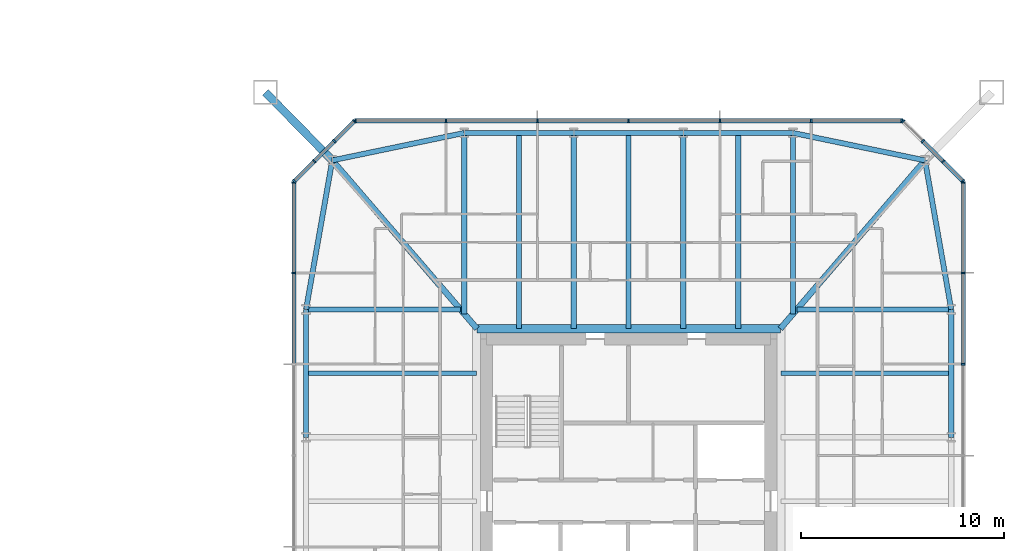
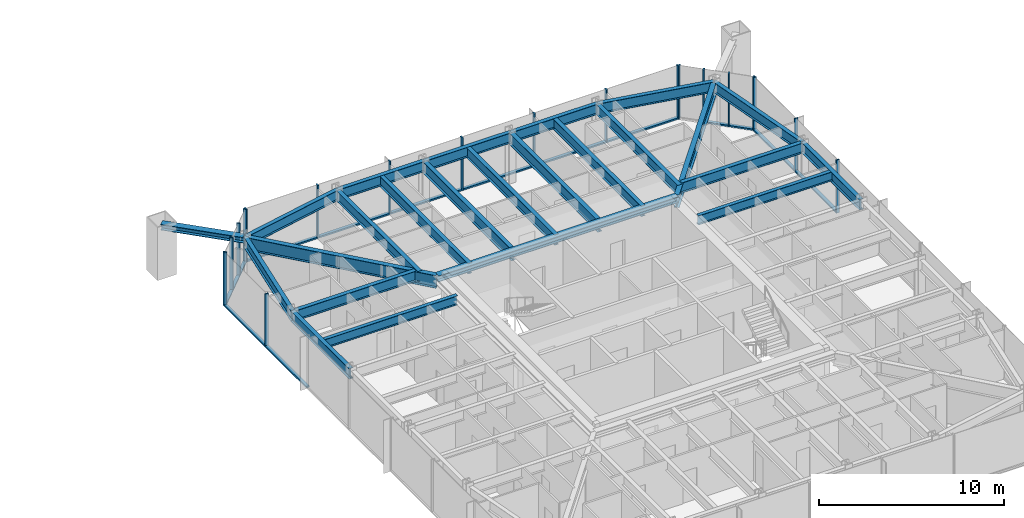
# One storey, part 10 of 26: 36 members, 23 beams, 5 elements without a shape of their own.
"""IFC4 building model written with IfcOpenShell, lengths in metres."""

from ifc_helpers import new_model, si_unit, direction, frame, origin, origin_2d, place, context, subcontext, project, spatial, rectangle, i_section, extrude, material, material_profile, profile_set, type_object, element, aggregate, save


model = new_model("IFC4")

# Units and contexts
model_context = context("Model", 3, precision=1e-05, world=origin(), true_north=direction((0.0, 1.0)))
body_context = subcontext(model_context, "Body", "Model", "MODEL_VIEW")
ifc_project = project(units=[si_unit("LENGTHUNIT", "METRE"), si_unit("AREAUNIT", "SQUARE_METRE"), si_unit("VOLUMEUNIT", "CUBIC_METRE"), si_unit("PLANEANGLEUNIT", "RADIAN"), si_unit("MASSUNIT", "GRAM", prefix="KILO")], contexts=[model_context])

# Site, building, storey
site_placement = place(None, origin())
site = spatial("IfcSite", under=ifc_project, at=site_placement, CompositionType="ELEMENT")
building_placement = place(site_placement, origin())
building = spatial("IfcBuilding", under=site, at=building_placement, Name="Iwan Alto Co-Living Towers", CompositionType="ELEMENT")
storey_placement = place(building_placement, frame((0.0, 0.0, 36.0)))
storey = spatial("IfcBuildingStorey", under=building, at=storey_placement, Name="L09", CompositionType="ELEMENT", Elevation=36.0)

# Curtain wall, members
ifc_material_1 = material(Name="Bronze aluminium unitised frame", Category="aluminium")
curtain_wall_type_1 = type_object("IfcCurtainWallType", Name="CURTAIN WALL CW-C", PredefinedType="NOTDEFINED", material=ifc_material_1)
curtain_wall_1_placement = place(storey_placement, origin())
curtain_wall_1 = element("IfcCurtainWall", 1, at=curtain_wall_1_placement, inside=storey, type_object=curtain_wall_type_1, Name="T2 curtain wall E L09", PredefinedType="NOTDEFINED")
ifc_material_2 = material(Name="Aluminium 6063-T6 bronze anodised", Category="aluminium")
ifc_material_profile_1 = material_profile(ifc_material_2, rectangle(XDim=0.199951171875, YDim=0.080078125, at=origin_2d()), Name="AL 80X200")
ifc_profile_set_1 = profile_set([ifc_material_profile_1], Name="Aluminium 6063-T6 bronze anodised")
member_type_1 = type_object("IfcMemberType", Name="CW-C MULLION 80X200", PredefinedType="MULLION", material=ifc_profile_set_1)
member_1_placement = place(storey_placement, frame((79.5, 6.75, 0.0), z_axis=(0.0, 0.0, 1.0), x_axis=(-1.0, 0.0, 0.0)))
member_1 = element("IfcMember", 2, at=member_1_placement, type_object=member_type_1, Name="CW-C mullion 6", PredefinedType="MULLION", context=body_context, shape_type="SweptSolid", body=[
    extrude(rectangle(XDim=0.199951171875, YDim=0.080078125, at=origin_2d()), origin(), (0.0, 0.0, 1.0), 3.5),
])
member_2_placement = place(storey_placement, frame((79.5, 11.25, 0.0), z_axis=(0.0, 0.0, 1.0), x_axis=(-1.0, 0.0, 0.0)))
member_2 = element("IfcMember", 3, at=member_2_placement, type_object=member_type_1, Name="CW-C mullion 7", PredefinedType="MULLION", context=body_context, shape_type="SweptSolid", body=[
    extrude(rectangle(XDim=0.199951171875, YDim=0.080078125, at=origin_2d()), origin(), (0.0, 0.0, 1.0), 3.5),
])
member_3_placement = place(storey_placement, frame((79.5, 15.7099609375, 0.0), z_axis=(0.0, 0.0, 1.0), x_axis=(-1.0, 0.0, 0.0)))
member_3 = element("IfcMember", 4, at=member_3_placement, type_object=member_type_1, Name="CW-C mullion 8", PredefinedType="MULLION", context=body_context, shape_type="SweptSolid", body=[
    extrude(rectangle(XDim=0.199951171875, YDim=0.080078125, at=origin_2d()), origin(), (0.0, 0.0, 1.0), 3.5),
])

curtain_wall_2_placement = place(storey_placement, origin())
curtain_wall_2 = element("IfcCurtainWall", 5, at=curtain_wall_2_placement, inside=storey, type_object=curtain_wall_type_1, Name="T2 curtain wall N L09", PredefinedType="NOTDEFINED")
member_4_placement = place(storey_placement, frame((76.4599609375, 18.75, 0.0), z_axis=(0.0, 0.0, 1.0), x_axis=(0.0, -1.0, 0.0)))
member_4 = element("IfcMember", 6, at=member_4_placement, type_object=member_type_1, Name="CW-C mullion 1", PredefinedType="MULLION", context=body_context, shape_type="SweptSolid", body=[
    extrude(rectangle(XDim=0.199951171875, YDim=0.080078125, at=origin_2d()), origin(), (0.0, 0.0, 1.0), 3.5),
])
member_5_placement = place(storey_placement, frame((72.0, 18.75, 0.0), z_axis=(0.0, 0.0, 1.0), x_axis=(0.0, -1.0, 0.0)))
member_5 = element("IfcMember", 7, at=member_5_placement, type_object=member_type_1, Name="CW-C mullion 2", PredefinedType="MULLION", context=body_context, shape_type="SweptSolid", body=[
    extrude(rectangle(XDim=0.199951171875, YDim=0.080078125, at=origin_2d()), origin(), (0.0, 0.0, 1.0), 3.5),
])
member_6_placement = place(storey_placement, frame((67.5, 18.75, 0.0), z_axis=(0.0, 0.0, 1.0), x_axis=(0.0, -1.0, 0.0)))
member_6 = element("IfcMember", 8, at=member_6_placement, type_object=member_type_1, Name="CW-C mullion 3", PredefinedType="MULLION", context=body_context, shape_type="SweptSolid", body=[
    extrude(rectangle(XDim=0.199951171875, YDim=0.080078125, at=origin_2d()), origin(), (0.0, 0.0, 1.0), 3.5),
])
member_7_placement = place(storey_placement, frame((63.0, 18.75, 0.0), z_axis=(0.0, 0.0, 1.0), x_axis=(0.0, -1.0, 0.0)))
member_7 = element("IfcMember", 9, at=member_7_placement, type_object=member_type_1, Name="CW-C mullion 4", PredefinedType="MULLION", context=body_context, shape_type="SweptSolid", body=[
    extrude(rectangle(XDim=0.199951171875, YDim=0.080078125, at=origin_2d()), origin(), (0.0, 0.0, 1.0), 3.5),
])
member_8_placement = place(storey_placement, frame((58.5, 18.75, 0.0), z_axis=(0.0, 0.0, 1.0), x_axis=(0.0, -1.0, 0.0)))
member_8 = element("IfcMember", 10, at=member_8_placement, type_object=member_type_1, Name="CW-C mullion 5", PredefinedType="MULLION", context=body_context, shape_type="SweptSolid", body=[
    extrude(rectangle(XDim=0.199951171875, YDim=0.080078125, at=origin_2d()), origin(), (0.0, 0.0, 1.0), 3.5),
])
member_9_placement = place(storey_placement, frame((54.0, 18.75, 0.0), z_axis=(0.0, 0.0, 1.0), x_axis=(0.0, -1.0, 0.0)))
member_9 = element("IfcMember", 11, at=member_9_placement, type_object=member_type_1, Name="CW-C mullion 6", PredefinedType="MULLION", context=body_context, shape_type="SweptSolid", body=[
    extrude(rectangle(XDim=0.199951171875, YDim=0.080078125, at=origin_2d()), origin(), (0.0, 0.0, 1.0), 3.5),
])
member_10_placement = place(storey_placement, frame((49.5400390625, 18.75, 0.0), z_axis=(0.0, 0.0, 1.0), x_axis=(0.0, -1.0, 0.0)))
member_10 = element("IfcMember", 12, at=member_10_placement, type_object=member_type_1, Name="CW-C mullion 7", PredefinedType="MULLION", context=body_context, shape_type="SweptSolid", body=[
    extrude(rectangle(XDim=0.199951171875, YDim=0.080078125, at=origin_2d()), origin(), (0.0, 0.0, 1.0), 3.5),
])

curtain_wall_3_placement = place(storey_placement, origin())
curtain_wall_3 = element("IfcCurtainWall", 13, at=curtain_wall_3_placement, inside=storey, type_object=curtain_wall_type_1, Name="T2 curtain wall W L09", PredefinedType="NOTDEFINED")
member_11_placement = place(storey_placement, frame((46.5, 15.7099609375, 0.0), z_axis=(0.0, 0.0, 1.0), x_axis=(1.0, 0.0, 0.0)))
member_11 = element("IfcMember", 14, at=member_11_placement, type_object=member_type_1, Name="CW-C mullion 1", PredefinedType="MULLION", context=body_context, shape_type="SweptSolid", body=[
    extrude(rectangle(XDim=0.199951171875, YDim=0.080078125, at=origin_2d()), origin(), (0.0, 0.0, 1.0), 3.5),
])
member_12_placement = place(storey_placement, frame((46.5, 11.25, 0.0), z_axis=(0.0, 0.0, 1.0), x_axis=(1.0, 0.0, 0.0)))
member_12 = element("IfcMember", 15, at=member_12_placement, type_object=member_type_1, Name="CW-C mullion 2", PredefinedType="MULLION", context=body_context, shape_type="SweptSolid", body=[
    extrude(rectangle(XDim=0.199951171875, YDim=0.080078125, at=origin_2d()), origin(), (0.0, 0.0, 1.0), 3.5),
])

# Member
ifc_material_3 = material(Name="Aluminium 6063-T6 bronze anodised", Category="aluminium")
ifc_material_profile_2 = material_profile(ifc_material_3, rectangle(XDim=0.199951171875, YDim=0.10009765625, at=origin_2d()), Name="AL 200X100")
ifc_profile_set_2 = profile_set([ifc_material_profile_2], Name="Aluminium 6063-T6 bronze anodised")
member_type_2 = type_object("IfcMemberType", Name="CW-C TRANSOM 200X100", PredefinedType="USERDEFINED", material=ifc_profile_set_2)
member_13_placement = place(storey_placement, frame((79.5, 6.7900390625, 0.050048828125), z_axis=(0.0, 1.0, 0.0), x_axis=(-1.0, 0.0, 0.0)))
member_13 = element("IfcMember", 16, at=member_13_placement, type_object=member_type_2, Name="CW-C transom 6.1", ObjectType="TRANSOM", PredefinedType="USERDEFINED", context=body_context, shape_type="SweptSolid", body=[
    extrude(rectangle(XDim=0.199951171875, YDim=0.10009765625, at=origin_2d()), origin(), (0.0, 0.0, 1.0), 4.419921875),
])

member_14_placement = place(storey_placement, frame((79.5, 11.2900390625, 0.050048828125), z_axis=(0.0, 1.0, 0.0), x_axis=(-1.0, 0.0, 0.0)))
member_14 = element("IfcMember", 17, at=member_14_placement, type_object=member_type_2, Name="CW-C transom 7.1", ObjectType="TRANSOM", PredefinedType="USERDEFINED", context=body_context, shape_type="SweptSolid", body=[
    extrude(rectangle(XDim=0.199951171875, YDim=0.10009765625, at=origin_2d()), origin(), (0.0, 0.0, 1.0), 4.3798828125),
])

aggregate(curtain_wall_1, [member_1, member_2, member_3, member_13, member_14])

member_15_placement = place(storey_placement, frame((76.419921875, 18.75, 0.050048828125), z_axis=(-1.0, 0.0, 0.0), x_axis=(0.0, -1.0, 0.0)))
member_15 = element("IfcMember", 18, at=member_15_placement, type_object=member_type_2, Name="CW-C transom 1.1", ObjectType="TRANSOM", PredefinedType="USERDEFINED", context=body_context, shape_type="SweptSolid", body=[
    extrude(rectangle(XDim=0.199951171875, YDim=0.10009765625, at=origin_2d()), origin(), (0.0, 0.0, 1.0), 4.3798828125),
])

member_16_placement = place(storey_placement, frame((71.9599609375, 18.75, 0.050048828125), z_axis=(-1.0, 0.0, 0.0), x_axis=(0.0, -1.0, 0.0)))
member_16 = element("IfcMember", 19, at=member_16_placement, type_object=member_type_2, Name="CW-C transom 2.1", ObjectType="TRANSOM", PredefinedType="USERDEFINED", context=body_context, shape_type="SweptSolid", body=[
    extrude(rectangle(XDim=0.199951171875, YDim=0.10009765625, at=origin_2d()), origin(), (0.0, 0.0, 1.0), 4.419921875),
])

member_17_placement = place(storey_placement, frame((67.4599609375, 18.75, 0.050048828125), z_axis=(-1.0, 0.0, 0.0), x_axis=(0.0, -1.0, 0.0)))
member_17 = element("IfcMember", 20, at=member_17_placement, type_object=member_type_2, Name="CW-C transom 3.1", ObjectType="TRANSOM", PredefinedType="USERDEFINED", context=body_context, shape_type="SweptSolid", body=[
    extrude(rectangle(XDim=0.199951171875, YDim=0.10009765625, at=origin_2d()), origin(), (0.0, 0.0, 1.0), 4.419921875),
])

member_18_placement = place(storey_placement, frame((62.9599609375, 18.75, 0.050048828125), z_axis=(-1.0, 0.0, 0.0), x_axis=(0.0, -1.0, 0.0)))
member_18 = element("IfcMember", 21, at=member_18_placement, type_object=member_type_2, Name="CW-C transom 4.1", ObjectType="TRANSOM", PredefinedType="USERDEFINED", context=body_context, shape_type="SweptSolid", body=[
    extrude(rectangle(XDim=0.199951171875, YDim=0.10009765625, at=origin_2d()), origin(), (0.0, 0.0, 1.0), 4.419921875),
])

member_19_placement = place(storey_placement, frame((58.4599609375, 18.75, 0.050048828125), z_axis=(-1.0, 0.0, 0.0), x_axis=(0.0, -1.0, 0.0)))
member_19 = element("IfcMember", 22, at=member_19_placement, type_object=member_type_2, Name="CW-C transom 5.1", ObjectType="TRANSOM", PredefinedType="USERDEFINED", context=body_context, shape_type="SweptSolid", body=[
    extrude(rectangle(XDim=0.199951171875, YDim=0.10009765625, at=origin_2d()), origin(), (0.0, 0.0, 1.0), 4.419921875),
])

member_20_placement = place(storey_placement, frame((53.9599609375, 18.75, 0.050048828125), z_axis=(-1.0, 0.0, 0.0), x_axis=(0.0, -1.0, 0.0)))
member_20 = element("IfcMember", 23, at=member_20_placement, type_object=member_type_2, Name="CW-C transom 6.1", ObjectType="TRANSOM", PredefinedType="USERDEFINED", context=body_context, shape_type="SweptSolid", body=[
    extrude(rectangle(XDim=0.199951171875, YDim=0.10009765625, at=origin_2d()), origin(), (0.0, 0.0, 1.0), 4.3798828125),
])

aggregate(curtain_wall_2, [member_4, member_5, member_6, member_7, member_8, member_9, member_10, member_15, member_16, member_17, member_18, member_19, member_20])

member_21_placement = place(storey_placement, frame((46.5, 15.669921875, 0.050048828125), z_axis=(0.0, -1.0, 0.0), x_axis=(1.0, 0.0, 0.0)))
member_21 = element("IfcMember", 24, at=member_21_placement, type_object=member_type_2, Name="CW-C transom 1.1", ObjectType="TRANSOM", PredefinedType="USERDEFINED", context=body_context, shape_type="SweptSolid", body=[
    extrude(rectangle(XDim=0.199951171875, YDim=0.10009765625, at=origin_2d()), origin(), (0.0, 0.0, 1.0), 4.3798828125),
])

member_22_placement = place(storey_placement, frame((46.5, 11.2099609375, 0.050048828125), z_axis=(0.0, -1.0, 0.0), x_axis=(1.0, 0.0, 0.0)))
member_22 = element("IfcMember", 25, at=member_22_placement, type_object=member_type_2, Name="CW-C transom 2.1", ObjectType="TRANSOM", PredefinedType="USERDEFINED", context=body_context, shape_type="SweptSolid", body=[
    extrude(rectangle(XDim=0.199951171875, YDim=0.10009765625, at=origin_2d()), origin(), (0.0, 0.0, 1.0), 4.419921875),
])

aggregate(curtain_wall_3, [member_11, member_12, member_21, member_22])

# Curtain wall, members
ifc_material_4 = material(Name="Bronze aluminium unitised frame", Category="aluminium")
curtain_wall_type_2 = type_object("IfcCurtainWallType", Name="CURTAIN WALL CW-D", PredefinedType="NOTDEFINED", material=ifc_material_4)
curtain_wall_4_placement = place(storey_placement, origin())
curtain_wall_4 = element("IfcCurtainWall", 26, at=curtain_wall_4_placement, inside=storey, type_object=curtain_wall_type_2, Name="T2 chamfer curtain wall NE L09", PredefinedType="NOTDEFINED")
ifc_material_5 = material(Name="Aluminium 6063-T6 bronze anodised", Category="aluminium")
ifc_material_profile_3 = material_profile(ifc_material_5, rectangle(XDim=0.199951171875, YDim=0.080078125, at=origin_2d()), Name="AL 80X200")
ifc_profile_set_3 = profile_set([ifc_material_profile_3], Name="Aluminium 6063-T6 bronze anodised")
member_type_3 = type_object("IfcMemberType", Name="CW-D MULLION 80X200", PredefinedType="MULLION", material=ifc_profile_set_3)
member_23_placement = place(storey_placement, frame((79.4716796875, 15.7783203125, 0.0), z_axis=(0.0, 0.0, 1.0), x_axis=(-0.707106781187, -0.707106781187, 0.0)))
member_23 = element("IfcMember", 27, at=member_23_placement, type_object=member_type_3, Name="CW-D mullion 1", PredefinedType="MULLION", context=body_context, shape_type="SweptSolid", body=[
    extrude(rectangle(XDim=0.199951171875, YDim=0.080078125, at=origin_2d()), origin(), (0.0, 0.0, 1.0), 3.5),
])
member_24_placement = place(storey_placement, frame((78.5, 16.75, 0.0), z_axis=(0.0, 0.0, 1.0), x_axis=(-0.707106781187, -0.707106781187, 0.0)))
member_24 = element("IfcMember", 28, at=member_24_placement, type_object=member_type_3, Name="CW-D mullion 2", PredefinedType="MULLION", context=body_context, shape_type="SweptSolid", body=[
    extrude(rectangle(XDim=0.199951171875, YDim=0.080078125, at=origin_2d()), origin(), (0.0, 0.0, 1.0), 3.5),
])
member_25_placement = place(storey_placement, frame((77.5, 17.75, 0.0), z_axis=(0.0, 0.0, 1.0), x_axis=(-0.707106781187, -0.707106781187, 0.0)))
member_25 = element("IfcMember", 29, at=member_25_placement, type_object=member_type_3, Name="CW-D mullion 3", PredefinedType="MULLION", context=body_context, shape_type="SweptSolid", body=[
    extrude(rectangle(XDim=0.199951171875, YDim=0.080078125, at=origin_2d()), origin(), (0.0, 0.0, 1.0), 3.5),
])
member_26_placement = place(storey_placement, frame((76.5283203125, 18.7216796875, 0.0), z_axis=(0.0, 0.0, 1.0), x_axis=(-0.707106781187, -0.707106781187, 0.0)))
member_26 = element("IfcMember", 30, at=member_26_placement, type_object=member_type_3, Name="CW-D mullion 4", PredefinedType="MULLION", context=body_context, shape_type="SweptSolid", body=[
    extrude(rectangle(XDim=0.199951171875, YDim=0.080078125, at=origin_2d()), origin(), (0.0, 0.0, 1.0), 3.5),
])

curtain_wall_5_placement = place(storey_placement, origin())
curtain_wall_5 = element("IfcCurtainWall", 31, at=curtain_wall_5_placement, inside=storey, type_object=curtain_wall_type_2, Name="T2 chamfer curtain wall NW L09", PredefinedType="NOTDEFINED")
member_27_placement = place(storey_placement, frame((49.4716796875, 18.7216796875, 0.0), z_axis=(0.0, 0.0, 1.0), x_axis=(0.707106781187, -0.707106781187, 0.0)))
member_27 = element("IfcMember", 32, at=member_27_placement, type_object=member_type_3, Name="CW-D mullion 1", PredefinedType="MULLION", context=body_context, shape_type="SweptSolid", body=[
    extrude(rectangle(XDim=0.199951171875, YDim=0.080078125, at=origin_2d()), origin(), (0.0, 0.0, 1.0), 3.5),
])
member_28_placement = place(storey_placement, frame((48.5, 17.75, 0.0), z_axis=(0.0, 0.0, 1.0), x_axis=(0.707106781187, -0.707106781187, 0.0)))
member_28 = element("IfcMember", 33, at=member_28_placement, type_object=member_type_3, Name="CW-D mullion 2", PredefinedType="MULLION", context=body_context, shape_type="SweptSolid", body=[
    extrude(rectangle(XDim=0.199951171875, YDim=0.080078125, at=origin_2d()), origin(), (0.0, 0.0, 1.0), 3.5),
])
member_29_placement = place(storey_placement, frame((47.5, 16.75, 0.0), z_axis=(0.0, 0.0, 1.0), x_axis=(0.707106781187, -0.707106781187, 0.0)))
member_29 = element("IfcMember", 34, at=member_29_placement, type_object=member_type_3, Name="CW-D mullion 3", PredefinedType="MULLION", context=body_context, shape_type="SweptSolid", body=[
    extrude(rectangle(XDim=0.199951171875, YDim=0.080078125, at=origin_2d()), origin(), (0.0, 0.0, 1.0), 3.5),
])
member_30_placement = place(storey_placement, frame((46.5283203125, 15.7783203125, 0.0), z_axis=(0.0, 0.0, 1.0), x_axis=(0.707106781187, -0.707106781187, 0.0)))
member_30 = element("IfcMember", 35, at=member_30_placement, type_object=member_type_3, Name="CW-D mullion 4", PredefinedType="MULLION", context=body_context, shape_type="SweptSolid", body=[
    extrude(rectangle(XDim=0.199951171875, YDim=0.080078125, at=origin_2d()), origin(), (0.0, 0.0, 1.0), 3.5),
])

# Member
ifc_material_6 = material(Name="Aluminium 6063-T6 bronze anodised", Category="aluminium")
ifc_material_profile_4 = material_profile(ifc_material_6, rectangle(XDim=0.199951171875, YDim=0.10009765625, at=origin_2d()), Name="AL 200X100")
ifc_profile_set_4 = profile_set([ifc_material_profile_4], Name="Aluminium 6063-T6 bronze anodised")
member_type_4 = type_object("IfcMemberType", Name="CW-D TRANSOM 200X100", PredefinedType="USERDEFINED", material=ifc_profile_set_4)
member_31_placement = place(storey_placement, frame((79.443359375, 15.806640625, 0.050048828125), z_axis=(-0.707106781187, 0.707106781187, 0.0), x_axis=(-0.707106781187, -0.707106781187, 0.0)))
member_31 = element("IfcMember", 36, at=member_31_placement, type_object=member_type_4, Name="CW-D transom 1.1", ObjectType="TRANSOM", PredefinedType="USERDEFINED", context=body_context, shape_type="SweptSolid", body=[
    extrude(rectangle(XDim=0.199951171875, YDim=0.10009765625, at=origin_2d()), origin(), (0.0, 0.0, 1.0), 1.2939453125),
])

member_32_placement = place(storey_placement, frame((78.4716796875, 16.7783203125, 0.050048828125), z_axis=(-0.707106781187, 0.707106781187, 0.0), x_axis=(-0.707106781187, -0.707106781187, 0.0)))
member_32 = element("IfcMember", 37, at=member_32_placement, type_object=member_type_4, Name="CW-D transom 2.1", ObjectType="TRANSOM", PredefinedType="USERDEFINED", context=body_context, shape_type="SweptSolid", body=[
    extrude(rectangle(XDim=0.199951171875, YDim=0.10009765625, at=origin_2d()), origin(), (0.0, 0.0, 1.0), 1.334228515625),
])

aggregate(curtain_wall_4, [member_23, member_24, member_25, member_26, member_31, member_32])

member_33_placement = place(storey_placement, frame((49.443359375, 18.693359375, 0.050048828125), z_axis=(-0.707106781187, -0.707106781187, 0.0), x_axis=(0.707106781187, -0.707106781187, 0.0)))
member_33 = element("IfcMember", 38, at=member_33_placement, type_object=member_type_4, Name="CW-D transom 1.1", ObjectType="TRANSOM", PredefinedType="USERDEFINED", context=body_context, shape_type="SweptSolid", body=[
    extrude(rectangle(XDim=0.199951171875, YDim=0.10009765625, at=origin_2d()), origin(), (0.0, 0.0, 1.0), 1.2939453125),
])

member_34_placement = place(storey_placement, frame((48.4716796875, 17.7216796875, 0.050048828125), z_axis=(-0.707106781187, -0.707106781187, 0.0), x_axis=(0.707106781187, -0.707106781187, 0.0)))
member_34 = element("IfcMember", 39, at=member_34_placement, type_object=member_type_4, Name="CW-D transom 2.1", ObjectType="TRANSOM", PredefinedType="USERDEFINED", context=body_context, shape_type="SweptSolid", body=[
    extrude(rectangle(XDim=0.199951171875, YDim=0.10009765625, at=origin_2d()), origin(), (0.0, 0.0, 1.0), 1.334228515625),
])

member_35_placement = place(storey_placement, frame((47.4716796875, 16.7216796875, 0.050048828125), z_axis=(-0.707106781187, -0.707106781187, 0.0), x_axis=(0.707106781187, -0.707106781187, 0.0)))
member_35 = element("IfcMember", 40, at=member_35_placement, type_object=member_type_4, Name="CW-D transom 3.1", ObjectType="TRANSOM", PredefinedType="USERDEFINED", context=body_context, shape_type="SweptSolid", body=[
    extrude(rectangle(XDim=0.199951171875, YDim=0.10009765625, at=origin_2d()), origin(), (0.0, 0.0, 1.0), 1.2939453125),
])

aggregate(curtain_wall_5, [member_27, member_28, member_29, member_30, member_33, member_34, member_35])

# Beams
ifc_material_7 = material(Name="Steel ASTM A992 Gr 50", Category="steel")
ifc_material_profile_5 = material_profile(ifc_material_7, i_section(OverallWidth=0.40380859375, OverallDepth=0.406494140625, WebThickness=0.027099609375, FlangeThickness=0.043701171875, at=origin_2d()), Name="W14X233")
ifc_profile_set_5 = profile_set([ifc_material_profile_5], Name="Steel ASTM A992 Gr 50")
beam_type_1 = type_object("IfcBeamType", Name="T2 CORE LEDGER BEAM W14X233", PredefinedType="BEAM", material=ifc_profile_set_5)
beam_1_placement = place(storey_placement, frame((70.4736328125, 8.501953125, 3.06689453125), z_axis=(-1.0, 0.0, 0.0), x_axis=(0.0, -1.0, 0.0)))
element("IfcBeam", 41, at=beam_1_placement, inside=storey, type_object=beam_type_1, Name="T2 core ledger beam N L10", PredefinedType="BEAM", context=body_context, shape_type="SweptSolid", body=[
    extrude(i_section(OverallWidth=0.40380859375, OverallDepth=0.406494140625, WebThickness=0.027099609375, FlangeThickness=0.043701171875, at=origin_2d()), origin(), (0.0, 0.0, 1.0), 14.947265625),
])
ifc_material_8 = material(Name="Steel ASTM A992 Gr 50", Category="steel")
ifc_material_profile_6 = material_profile(ifc_material_8, i_section(OverallWidth=0.2919921875, OverallDepth=0.8408203125, WebThickness=0.0146484375, FlangeThickness=0.021728515625, at=origin_2d()), Name="W33X130")
ifc_profile_set_6 = profile_set([ifc_material_profile_6], Name="Steel ASTM A992 Gr 50")
beam_type_2 = type_object("IfcBeamType", Name="T2 CORNER GIRDER W33X130", PredefinedType="BEAM", material=ifc_profile_set_6)
for number, where, z_axis, x_axis, name in (
    (42, (77.606201171875, 16.797119140625, 2.849609375), (-0.651972301827, -0.758242782788, 0.0), (0.758242782788, -0.651972301827, 0.0), "T2 corner girder CNE L10"),
    (43, (48.393798828125, 16.797119140625, 2.849609375), (0.651972301827, -0.758242782788, 0.0), (0.758242782788, 0.651972301827, 0.0), "T2 corner girder CNW L10"),
):
    element("IfcBeam", number, at=place(storey_placement, frame(where, z_axis=z_axis, x_axis=x_axis)), inside=storey, type_object=beam_type_2, Name=name, PredefinedType="BEAM", context=body_context, shape_type="SweptSolid", body=[
        extrude(i_section(OverallWidth=0.2919921875, OverallDepth=0.8408203125, WebThickness=0.0146484375, FlangeThickness=0.021728515625, at=origin_2d()), origin(), (0.0, 0.0, 1.0), 10.93994140625),
    ])
ifc_material_9 = material(Name="Steel ASTM A992 Gr 50", Category="steel")
ifc_material_profile_7 = material_profile(ifc_material_9, i_section(OverallWidth=0.25390625, OverallDepth=0.683349609375, WebThickness=0.012451171875, FlangeThickness=0.018798828125, at=origin_2d()), Name="W27X94")
ifc_profile_set_7 = profile_set([ifc_material_profile_7], Name="Steel ASTM A992 Gr 50")
beam_type_3 = type_object("IfcBeamType", Name="T2 EDGE BEAM W27X94", PredefinedType="BEAM", material=ifc_profile_set_7)
beam_2_placement = place(storey_placement, frame((78.89990234375, 3.14990234375, 2.928466796875), z_axis=(0.0, 1.0, 0.0), x_axis=(-1.0, 0.0, 0.0)))
element("IfcBeam", 44, at=beam_2_placement, inside=storey, type_object=beam_type_3, Name="T2 edge beam E3 L10", PredefinedType="BEAM", context=body_context, shape_type="SweptSolid", body=[
    extrude(i_section(OverallWidth=0.25390625, OverallDepth=0.683349609375, WebThickness=0.012451171875, FlangeThickness=0.018798828125, at=origin_2d()), origin(), (0.0, 0.0, 1.0), 6.300048828125),
])
beam_3_placement = place(storey_placement, frame((78.89990234375, 9.449951171875, 2.928466796875), z_axis=(-0.173413807283, 0.98484905008, 0.0), x_axis=(-0.98484905008, -0.173413807283, 0.0)))
element("IfcBeam", 45, at=beam_3_placement, inside=storey, type_object=beam_type_3, Name="T2 edge beam E4 L10", PredefinedType="BEAM", context=body_context, shape_type="SweptSolid", body=[
    extrude(i_section(OverallWidth=0.25390625, OverallDepth=0.683349609375, WebThickness=0.012451171875, FlangeThickness=0.018798828125, at=origin_2d()), origin(), (0.0, 0.0, 1.0), 7.460205078125),
])
beam_4_placement = place(storey_placement, frame((77.606201171875, 16.797119140625, 2.928466796875), z_axis=(-0.979060119423, 0.203571320564, 0.0), x_axis=(-0.203571320564, -0.979060119423, 0.0)))
element("IfcBeam", 46, at=beam_4_placement, inside=storey, type_object=beam_type_3, Name="T2 edge beam CNE L10", PredefinedType="BEAM", context=body_context, shape_type="SweptSolid", body=[
    extrude(i_section(OverallWidth=0.25390625, OverallDepth=0.683349609375, WebThickness=0.012451171875, FlangeThickness=0.018798828125, at=origin_2d()), origin(), (0.0, 0.0, 1.0), 6.645263671875),
])
beam_5_placement = place(storey_placement, frame((71.10009765625, 18.14990234375, 2.928466796875), z_axis=(-1.0, 0.0, 0.0), x_axis=(0.0, -1.0, 0.0)))
element("IfcBeam", 47, at=beam_5_placement, inside=storey, type_object=beam_type_3, Name="T2 edge beam N1 L10", PredefinedType="BEAM", context=body_context, shape_type="SweptSolid", body=[
    extrude(i_section(OverallWidth=0.25390625, OverallDepth=0.683349609375, WebThickness=0.012451171875, FlangeThickness=0.018798828125, at=origin_2d()), origin(), (0.0, 0.0, 1.0), 5.400146484375),
])
beam_6_placement = place(storey_placement, frame((65.699951171875, 18.14990234375, 2.928466796875), z_axis=(-1.0, 0.0, 0.0), x_axis=(0.0, -1.0, 0.0)))
element("IfcBeam", 48, at=beam_6_placement, inside=storey, type_object=beam_type_3, Name="T2 edge beam N2 L10", PredefinedType="BEAM", context=body_context, shape_type="SweptSolid", body=[
    extrude(i_section(OverallWidth=0.25390625, OverallDepth=0.683349609375, WebThickness=0.012451171875, FlangeThickness=0.018798828125, at=origin_2d()), origin(), (0.0, 0.0, 1.0), 5.39990234375),
])
beam_7_placement = place(storey_placement, frame((60.300048828125, 18.14990234375, 2.928466796875), z_axis=(-1.0, 0.0, 0.0), x_axis=(0.0, -1.0, 0.0)))
element("IfcBeam", 49, at=beam_7_placement, inside=storey, type_object=beam_type_3, Name="T2 edge beam N3 L10", PredefinedType="BEAM", context=body_context, shape_type="SweptSolid", body=[
    extrude(i_section(OverallWidth=0.25390625, OverallDepth=0.683349609375, WebThickness=0.012451171875, FlangeThickness=0.018798828125, at=origin_2d()), origin(), (0.0, 0.0, 1.0), 5.400146484375),
])
beam_8_placement = place(storey_placement, frame((54.89990234375, 18.14990234375, 2.928466796875), z_axis=(-0.979060119423, -0.203571320564, 0.0), x_axis=(0.203571320564, -0.979060119423, 0.0)))
element("IfcBeam", 50, at=beam_8_placement, inside=storey, type_object=beam_type_3, Name="T2 edge beam N4 L10", PredefinedType="BEAM", context=body_context, shape_type="SweptSolid", body=[
    extrude(i_section(OverallWidth=0.25390625, OverallDepth=0.683349609375, WebThickness=0.012451171875, FlangeThickness=0.018798828125, at=origin_2d()), origin(), (0.0, 0.0, 1.0), 6.645263671875),
])
beam_9_placement = place(storey_placement, frame((48.393798828125, 16.797119140625, 2.928466796875), z_axis=(-0.173413807283, -0.98484905008, 0.0), x_axis=(0.98484905008, -0.173413807283, 0.0)))
element("IfcBeam", 51, at=beam_9_placement, inside=storey, type_object=beam_type_3, Name="T2 edge beam CNW L10", PredefinedType="BEAM", context=body_context, shape_type="SweptSolid", body=[
    extrude(i_section(OverallWidth=0.25390625, OverallDepth=0.683349609375, WebThickness=0.012451171875, FlangeThickness=0.018798828125, at=origin_2d()), origin(), (0.0, 0.0, 1.0), 7.460205078125),
])
beam_10_placement = place(storey_placement, frame((47.10009765625, 9.449951171875, 2.928466796875), z_axis=(0.0, -1.0, 0.0), x_axis=(1.0, 0.0, 0.0)))
element("IfcBeam", 52, at=beam_10_placement, inside=storey, type_object=beam_type_3, Name="T2 edge beam W1 L10", PredefinedType="BEAM", context=body_context, shape_type="SweptSolid", body=[
    extrude(i_section(OverallWidth=0.25390625, OverallDepth=0.683349609375, WebThickness=0.012451171875, FlangeThickness=0.018798828125, at=origin_2d()), origin(), (0.0, 0.0, 1.0), 6.300048828125),
])

# Member
ifc_material_10 = material(Name="Steel ASTM A992 Gr 50", Category="steel")
ifc_material_profile_8 = material_profile(ifc_material_10, i_section(OverallWidth=0.393798828125, OverallDepth=0.3759765625, WebThickness=0.017333984375, FlangeThickness=0.027587890625, at=origin_2d()), Name="W14X145")
ifc_profile_set_8 = profile_set([ifc_material_profile_8], Name="Steel ASTM A992 Gr 50")
member_type_5 = type_object("IfcMemberType", Name="T2 MEGA COLUMN FLOOR TIE W14X145", PredefinedType="STRUT", material=ifc_profile_set_8)
member_36_placement = place(storey_placement, frame((45.10009765625, 20.14990234375, 3.08203125), z_axis=(0.700793469544, -0.71336422187, 0.0), x_axis=(0.71336422187, 0.700793469544, 0.0)))
element("IfcMember", 53, at=member_36_placement, inside=storey, type_object=member_type_5, Name="T2 mega column floor tie NW L10", PredefinedType="STRUT", context=body_context, shape_type="SweptSolid", body=[
    extrude(i_section(OverallWidth=0.393798828125, OverallDepth=0.3759765625, WebThickness=0.017333984375, FlangeThickness=0.027587890625, at=origin_2d()), origin(), (0.0, 0.0, 1.0), 4.699951171875),
])

# Beams
ifc_material_11 = material(Name="Steel ASTM A992 Gr 50", Category="steel")
ifc_material_profile_9 = material_profile(ifc_material_11, i_section(OverallWidth=0.25390625, OverallDepth=0.683349609375, WebThickness=0.012451171875, FlangeThickness=0.018798828125, at=origin_2d()), Name="W27X94")
ifc_profile_set_9 = profile_set([ifc_material_profile_9], Name="Steel ASTM A992 Gr 50")
beam_type_4 = type_object("IfcBeamType", Name="T2 RADIAL BEAM W27X94", PredefinedType="BEAM", material=ifc_profile_set_9)
beam_11_placement = place(storey_placement, frame((78.89990234375, 9.449951171875, 2.928466796875), z_axis=(-1.0, 0.0, 0.0), x_axis=(0.0, -1.0, 0.0)))
element("IfcBeam", 54, at=beam_11_placement, inside=storey, type_object=beam_type_4, Name="T2 radial beam E4 L10", PredefinedType="BEAM", context=body_context, shape_type="SweptSolid", body=[
    extrude(i_section(OverallWidth=0.25390625, OverallDepth=0.683349609375, WebThickness=0.012451171875, FlangeThickness=0.018798828125, at=origin_2d()), origin(), (0.0, 0.0, 1.0), 7.611083984375),
])
for number, where, z_axis, x_axis, name in (
    (55, (71.10009765625, 18.14990234375, 2.928466796875), (0.0, -1.0, 0.0), (1.0, 0.0, 0.0), "T2 radial beam N1 L10"),
    (56, (54.89990234375, 18.14990234375, 2.928466796875), (0.0, -1.0, 0.0), (1.0, 0.0, 0.0), "T2 radial beam N4 L10"),
):
    element("IfcBeam", number, at=place(storey_placement, frame(where, z_axis=z_axis, x_axis=x_axis)), inside=storey, type_object=beam_type_4, Name=name, PredefinedType="BEAM", context=body_context, shape_type="SweptSolid", body=[
        extrude(i_section(OverallWidth=0.25390625, OverallDepth=0.683349609375, WebThickness=0.012451171875, FlangeThickness=0.018798828125, at=origin_2d()), origin(), (0.0, 0.0, 1.0), 8.91943359375),
    ])
beam_12_placement = place(storey_placement, frame((47.10009765625, 9.449951171875, 2.928466796875), z_axis=(1.0, 0.0, 0.0), x_axis=(0.0, 1.0, 0.0)))
element("IfcBeam", 57, at=beam_12_placement, inside=storey, type_object=beam_type_4, Name="T2 radial beam W1 L10", PredefinedType="BEAM", context=body_context, shape_type="SweptSolid", body=[
    extrude(i_section(OverallWidth=0.25390625, OverallDepth=0.683349609375, WebThickness=0.012451171875, FlangeThickness=0.018798828125, at=origin_2d()), origin(), (0.0, 0.0, 1.0), 7.611083984375),
])
ifc_material_12 = material(Name="Steel ASTM A992 Gr 50", Category="steel")
ifc_material_profile_10 = material_profile(ifc_material_12, i_section(OverallWidth=0.2666015625, OverallDepth=0.761962890625, WebThickness=0.014404296875, FlangeThickness=0.021484375, at=origin_2d()), Name="W30X116")
ifc_profile_set_10 = profile_set([ifc_material_profile_10], Name="Steel ASTM A992 Gr 50")
beam_type_5 = type_object("IfcBeamType", Name="T2 RADIAL BEAM W30X116", PredefinedType="BEAM", material=ifc_profile_set_10)
for number, where, z_axis, x_axis, name in (
    (58, (65.699951171875, 18.14990234375, 2.888916015625), (0.0, -1.0, 0.0), (1.0, 0.0, 0.0), "T2 radial beam N2 L10"),
    (59, (60.300048828125, 18.14990234375, 2.888916015625), (0.0, -1.0, 0.0), (1.0, 0.0, 0.0), "T2 radial beam N3 L10"),
):
    element("IfcBeam", number, at=place(storey_placement, frame(where, z_axis=z_axis, x_axis=x_axis)), inside=storey, type_object=beam_type_5, Name=name, PredefinedType="BEAM", context=body_context, shape_type="SweptSolid", body=[
        extrude(i_section(OverallWidth=0.2666015625, OverallDepth=0.761962890625, WebThickness=0.014404296875, FlangeThickness=0.021484375, at=origin_2d()), origin(), (0.0, 0.0, 1.0), 9.64794921875),
    ])
ifc_material_13 = material(Name="Steel ASTM A992 Gr 50", Category="steel")
ifc_material_profile_11 = material_profile(ifc_material_13, i_section(OverallWidth=0.228271484375, OverallDepth=0.607177734375, WebThickness=0.01123046875, FlangeThickness=0.017333984375, at=origin_2d()), Name="W24X76")
ifc_profile_set_11 = profile_set([ifc_material_profile_11], Name="Steel ASTM A992 Gr 50")
beam_type_6 = type_object("IfcBeamType", Name="T2 SECONDARY BEAM W24X76", PredefinedType="JOIST", material=ifc_profile_set_11)
for number, where, z_axis, x_axis, name in (
    (60, (78.89990234375, 6.300048828125, 2.966552734375), (-1.0, 0.0, 0.0), (0.0, -1.0, 0.0), "T2 secondary beam E3 L10"),
    (61, (47.10009765625, 6.300048828125, 2.966552734375), (1.0, 0.0, 0.0), (0.0, 1.0, 0.0), "T2 secondary beam W1 L10"),
):
    element("IfcBeam", number, at=place(storey_placement, frame(where, z_axis=z_axis, x_axis=x_axis)), inside=storey, type_object=beam_type_6, Name=name, PredefinedType="JOIST", context=body_context, shape_type="SweptSolid", body=[
        extrude(i_section(OverallWidth=0.228271484375, OverallDepth=0.607177734375, WebThickness=0.01123046875, FlangeThickness=0.017333984375, at=origin_2d()), origin(), (0.0, 0.0, 1.0), 8.39794921875),
    ])
ifc_material_14 = material(Name="Steel ASTM A992 Gr 50", Category="steel")
ifc_material_profile_12 = material_profile(ifc_material_14, i_section(OverallWidth=0.25390625, OverallDepth=0.683349609375, WebThickness=0.012451171875, FlangeThickness=0.018798828125, at=origin_2d()), Name="W27X94")
ifc_profile_set_12 = profile_set([ifc_material_profile_12], Name="Steel ASTM A992 Gr 50")
beam_type_7 = type_object("IfcBeamType", Name="T2 SECONDARY BEAM W27X94", PredefinedType="JOIST", material=ifc_profile_set_12)
for number, where, z_axis, x_axis, name in (
    (62, (68.39990234375, 18.14990234375, 2.928466796875), (0.0, -1.0, 0.0), (1.0, 0.0, 0.0), "T2 secondary beam N1 L10"),
    (63, (63.0, 18.14990234375, 2.928466796875), (0.0, -1.0, 0.0), (1.0, 0.0, 0.0), "T2 secondary beam N2 L10"),
    (64, (57.60009765625, 18.14990234375, 2.928466796875), (0.0, -1.0, 0.0), (1.0, 0.0, 0.0), "T2 secondary beam N3 L10"),
):
    element("IfcBeam", number, at=place(storey_placement, frame(where, z_axis=z_axis, x_axis=x_axis)), inside=storey, type_object=beam_type_7, Name=name, PredefinedType="JOIST", context=body_context, shape_type="SweptSolid", body=[
        extrude(i_section(OverallWidth=0.25390625, OverallDepth=0.683349609375, WebThickness=0.012451171875, FlangeThickness=0.018798828125, at=origin_2d()), origin(), (0.0, 0.0, 1.0), 9.64794921875),
    ])

save(model, "model.ifc")
